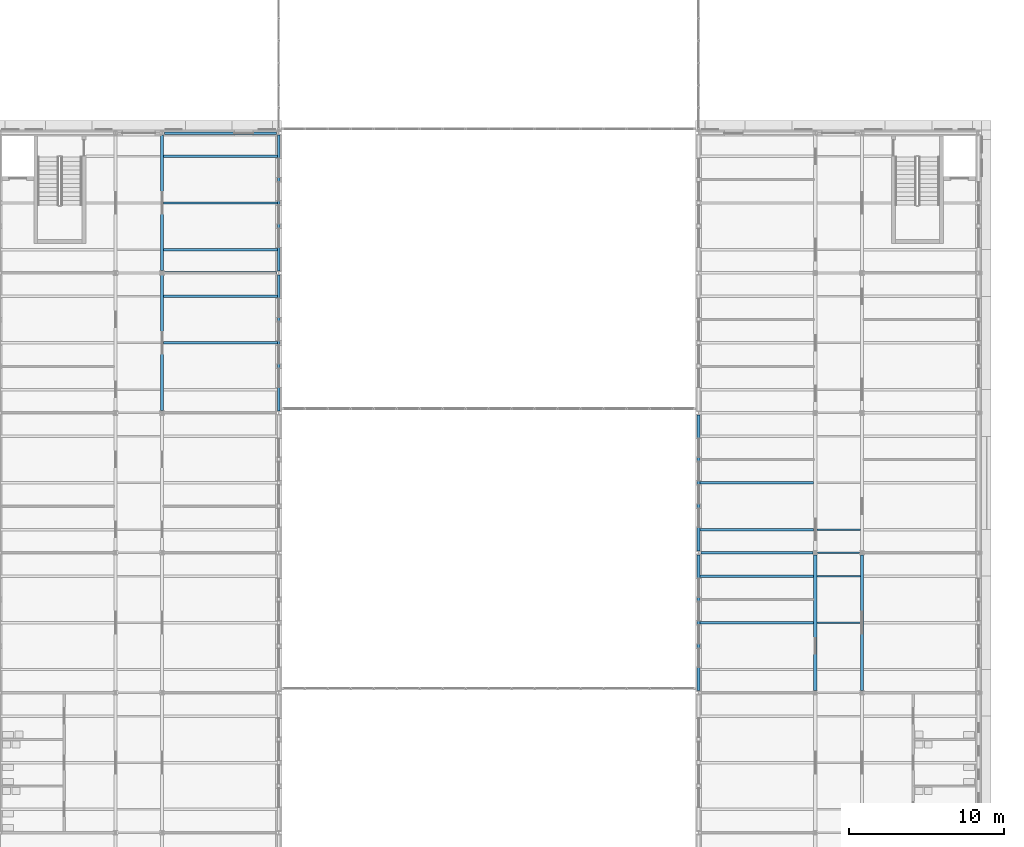
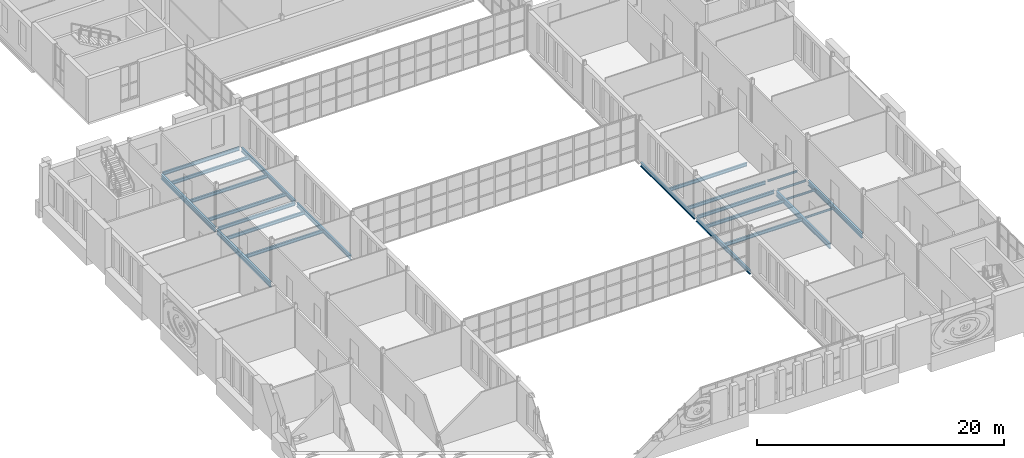
# One storey, part 38 of 131: 24 beams.
"""IFC4 building model written with IfcOpenShell, lengths in metres."""

from ifc_helpers import new_model, si_unit, direction, frame, origin, origin_2d, place, context, subcontext, project, spatial, i_section, extrude, material, material_profile, profile_set, type_object, element, save


model = new_model("IFC4")

# Units and contexts
model_context = context("Model", 3, precision=1e-05, world=origin(), true_north=direction((0.0, 1.0)))
body_context = subcontext(model_context, "Body", "Model", "MODEL_VIEW")
ifc_project = project(units=[si_unit("LENGTHUNIT", "METRE"), si_unit("AREAUNIT", "SQUARE_METRE"), si_unit("VOLUMEUNIT", "CUBIC_METRE"), si_unit("PLANEANGLEUNIT", "RADIAN"), si_unit("MASSUNIT", "GRAM", prefix="KILO")], contexts=[model_context])

# Site, building, storey
site_placement = place(None, origin())
site = spatial("IfcSite", under=ifc_project, at=site_placement, CompositionType="ELEMENT")
building_placement = place(site_placement, origin())
building = spatial("IfcBuilding", under=site, at=building_placement, Name="Golden Quay Civic Hall", CompositionType="ELEMENT")
storey_placement = place(building_placement, frame((0.0, 0.0, 9.89990234375)))
storey = spatial("IfcBuildingStorey", under=building, at=storey_placement, Name="L02", CompositionType="ELEMENT", Elevation=9.89990234375)

# Beams
ifc_material_1 = material(Name="Steel S355", Category="steel")
ifc_material_profile_1 = material_profile(ifc_material_1, i_section(OverallWidth=0.10009765625, OverallDepth=0.199951171875, WebThickness=0.005615234375, FlangeThickness=0.008544921875, FilletRadius=0.011962890625, at=origin_2d()), Name="IPE 200")
ifc_profile_set_1 = profile_set([ifc_material_profile_1], Name="Steel S355")
beam_type_1 = type_object("IfcBeamType", Name="Steel beam IPE 200", PredefinedType="BEAM", material=ifc_profile_set_1)
beam_1_placement = place(storey_placement, frame((106.64990234375, 27.0, -0.2998046875), z_axis=(1.0, 0.0, 0.0), x_axis=(0.0, 1.0, 0.0)))
element("IfcBeam", 1, at=beam_1_placement, inside=storey, type_object=beam_type_1, Name="Beam S27-106.5", PredefinedType="BEAM", context=body_context, shape_type="SweptSolid", body=[
    extrude(i_section(OverallWidth=0.10009765625, OverallDepth=0.199951171875, WebThickness=0.005615234375, FlangeThickness=0.008544921875, FilletRadius=0.011962890625, at=origin_2d()), origin(), (0.0, 0.0, 1.0), 2.7001953125),
])
ifc_material_2 = material(Name="Steel S355", Category="steel")
ifc_material_profile_2 = material_profile(ifc_material_2, i_section(OverallWidth=0.159912109375, OverallDepth=0.330078125, WebThickness=0.007568359375, FlangeThickness=0.011474609375, FilletRadius=0.01806640625, at=origin_2d()), Name="IPE 330")
ifc_profile_set_2 = profile_set([ifc_material_profile_2], Name="Steel S355")
beam_type_2 = type_object("IfcBeamType", Name="Steel beam IPE 330", PredefinedType="BEAM", material=ifc_profile_set_2)
beam_2_placement = place(storey_placement, frame((64.64990234375, 45.0, -0.364990234375), z_axis=(1.0, 0.0, 0.0), x_axis=(0.0, 1.0, 0.0)))
element("IfcBeam", 2, at=beam_2_placement, inside=storey, type_object=beam_type_2, Name="Beam S45-64.5", PredefinedType="BEAM", context=body_context, shape_type="SweptSolid", body=[
    extrude(i_section(OverallWidth=0.159912109375, OverallDepth=0.330078125, WebThickness=0.007568359375, FlangeThickness=0.011474609375, FilletRadius=0.01806640625, at=origin_2d()), origin(), (0.0, 0.0, 1.0), 7.210205078125),
])
beam_3_placement = place(storey_placement, frame((64.639892578125, 54.0, -0.364990234375), z_axis=(1.0, 0.0, 0.0), x_axis=(0.0, 1.0, 0.0)))
element("IfcBeam", 3, at=beam_3_placement, inside=storey, type_object=beam_type_2, Name="Beam S54-64.5", PredefinedType="BEAM", context=body_context, shape_type="SweptSolid", body=[
    extrude(i_section(OverallWidth=0.159912109375, OverallDepth=0.330078125, WebThickness=0.007568359375, FlangeThickness=0.011474609375, FilletRadius=0.01806640625, at=origin_2d()), origin(), (0.0, 0.0, 1.0), 7.22021484375),
])
beam_4_placement = place(storey_placement, frame((99.139892578125, 27.0, -0.364990234375), z_axis=(1.0, 0.0, 0.0), x_axis=(0.0, 1.0, 0.0)))
element("IfcBeam", 4, at=beam_4_placement, inside=storey, type_object=beam_type_2, Name="Beam S27-99", PredefinedType="BEAM", context=body_context, shape_type="SweptSolid", body=[
    extrude(i_section(OverallWidth=0.159912109375, OverallDepth=0.330078125, WebThickness=0.007568359375, FlangeThickness=0.011474609375, FilletRadius=0.01806640625, at=origin_2d()), origin(), (0.0, 0.0, 1.0), 7.210205078125),
])
ifc_material_3 = material(Name="Steel S355", Category="steel")
ifc_material_profile_3 = material_profile(ifc_material_3, i_section(OverallWidth=0.179931640625, OverallDepth=0.39990234375, WebThickness=0.008544921875, FlangeThickness=0.013427734375, FilletRadius=0.02099609375, at=origin_2d()), Name="IPE 400")
ifc_profile_set_3 = profile_set([ifc_material_profile_3], Name="Steel S355")
beam_type_3 = type_object("IfcBeamType", Name="Steel beam IPE 400", PredefinedType="BEAM", material=ifc_profile_set_3)
for number, where, z_axis, x_axis, name in (
    (5, (72.0, 36.135009765625, -0.39990234375), (0.0, 1.0, 0.0), (-1.0, 0.0, 0.0), "Beam L72-36"),
    (6, (72.0, 45.135009765625, -0.39990234375), (0.0, 1.0, 0.0), (-1.0, 0.0, 0.0), "Beam L72-45"),
    (7, (99.0, 18.135009765625, -0.39990234375), (0.0, 1.0, 0.0), (-1.0, 0.0, 0.0), "Beam L99-18"),
    (8, (99.0, 27.135009765625, -0.39990234375), (0.0, 1.0, 0.0), (-1.0, 0.0, 0.0), "Beam L99-27"),
):
    element("IfcBeam", number, at=place(storey_placement, frame(where, z_axis=z_axis, x_axis=x_axis)), inside=storey, type_object=beam_type_3, Name=name, PredefinedType="BEAM", context=body_context, shape_type="SweptSolid", body=[
        extrude(i_section(OverallWidth=0.179931640625, OverallDepth=0.39990234375, WebThickness=0.008544921875, FlangeThickness=0.013427734375, FilletRadius=0.02099609375, at=origin_2d()), origin(), (0.0, 0.0, 1.0), 8.72998046875),
    ])
ifc_material_4 = material(Name="Steel S355", Category="steel")
ifc_material_profile_4 = material_profile(ifc_material_4, i_section(OverallWidth=0.199951171875, OverallDepth=0.5, WebThickness=0.01025390625, FlangeThickness=0.01611328125, FilletRadius=0.02099609375, at=origin_2d()), Name="IPE 500")
ifc_profile_set_4 = profile_set([ifc_material_profile_4], Name="Steel S355")
beam_type_4 = type_object("IfcBeamType", Name="Steel beam IPE 500", PredefinedType="BEAM", material=ifc_profile_set_4)
beam_5_placement = place(storey_placement, frame((64.5, 36.14501953125, -0.449951171875), z_axis=(0.0, 1.0, 0.0), x_axis=(-1.0, 0.0, 0.0)))
element("IfcBeam", 9, at=beam_5_placement, inside=storey, type_object=beam_type_4, Name="Beam L64.5-36", PredefinedType="BEAM", context=body_context, shape_type="SweptSolid", body=[
    extrude(i_section(OverallWidth=0.199951171875, OverallDepth=0.5, WebThickness=0.01025390625, FlangeThickness=0.01611328125, FilletRadius=0.02099609375, at=origin_2d()), origin(), (0.0, 0.0, 1.0), 8.7099609375),
])
beam_6_placement = place(storey_placement, frame((64.5, 45.14501953125, -0.449951171875), z_axis=(0.0, 1.0, 0.0), x_axis=(-1.0, 0.0, 0.0)))
element("IfcBeam", 10, at=beam_6_placement, inside=storey, type_object=beam_type_4, Name="Beam L64.5-45", PredefinedType="BEAM", context=body_context, shape_type="SweptSolid", body=[
    extrude(i_section(OverallWidth=0.199951171875, OverallDepth=0.5, WebThickness=0.01025390625, FlangeThickness=0.01611328125, FilletRadius=0.02099609375, at=origin_2d()), origin(), (0.0, 0.0, 1.0), 8.719970703125),
])
for number, where, z_axis, x_axis, name in (
    (11, (106.5, 18.14501953125, -0.449951171875), (0.0, 1.0, 0.0), (-1.0, 0.0, 0.0), "Beam L106.5-18"),
    (12, (109.5, 18.14501953125, -0.449951171875), (0.0, 1.0, 0.0), (-1.0, 0.0, 0.0), "Beam L109.5-18"),
):
    element("IfcBeam", number, at=place(storey_placement, frame(where, z_axis=z_axis, x_axis=x_axis)), inside=storey, type_object=beam_type_4, Name=name, PredefinedType="BEAM", context=body_context, shape_type="SweptSolid", body=[
        extrude(i_section(OverallWidth=0.199951171875, OverallDepth=0.5, WebThickness=0.01025390625, FlangeThickness=0.01611328125, FilletRadius=0.02099609375, at=origin_2d()), origin(), (0.0, 0.0, 1.0), 8.7099609375),
    ])
ifc_material_5 = material(Name="Steel S355", Category="steel")
ifc_material_profile_5 = material_profile(ifc_material_5, i_section(OverallWidth=0.10009765625, OverallDepth=0.199951171875, WebThickness=0.005615234375, FlangeThickness=0.008544921875, FilletRadius=0.011962890625, at=origin_2d()), Name="IPE 200")
ifc_profile_set_5 = profile_set([ifc_material_profile_5], Name="Steel S355")
beam_type_5 = type_object("IfcBeamType", Name="Steel joist IPE 200", PredefinedType="JOIST", material=ifc_profile_set_5)
for number, where, z_axis, x_axis, name in (
    (13, (106.60009765625, 22.5, -0.2998046875), (1.0, 0.0, 0.0), (0.0, 1.0, 0.0), "Joist J22.5-106.5"),
    (14, (106.60009765625, 25.5, -0.2998046875), (1.0, 0.0, 0.0), (0.0, 1.0, 0.0), "Joist J25.5-106.5"),
    (15, (106.60009765625, 28.5, -0.2998046875), (1.0, 0.0, 0.0), (0.0, 1.0, 0.0), "Joist J28.5-106.5"),
):
    element("IfcBeam", number, at=place(storey_placement, frame(where, z_axis=z_axis, x_axis=x_axis)), inside=storey, type_object=beam_type_5, Name=name, PredefinedType="JOIST", context=body_context, shape_type="SweptSolid", body=[
        extrude(i_section(OverallWidth=0.10009765625, OverallDepth=0.199951171875, WebThickness=0.005615234375, FlangeThickness=0.008544921875, FilletRadius=0.011962890625, at=origin_2d()), origin(), (0.0, 0.0, 1.0), 2.7998046875),
    ])
ifc_material_6 = material(Name="Steel S355", Category="steel")
ifc_material_profile_6 = material_profile(ifc_material_6, i_section(OverallWidth=0.159912109375, OverallDepth=0.330078125, WebThickness=0.007568359375, FlangeThickness=0.011474609375, FilletRadius=0.01806640625, at=origin_2d()), Name="IPE 330")
ifc_profile_set_6 = profile_set([ifc_material_profile_6], Name="Steel S355")
beam_type_6 = type_object("IfcBeamType", Name="Steel joist IPE 330", PredefinedType="JOIST", material=ifc_profile_set_6)
for number, where, z_axis, x_axis, name in (
    (16, (64.60009765625, 40.5, -0.364990234375), (1.0, 0.0, 0.0), (0.0, 1.0, 0.0), "Joist J40.5-64.5"),
    (17, (64.60009765625, 43.5, -0.364990234375), (1.0, 0.0, 0.0), (0.0, 1.0, 0.0), "Joist J43.5-64.5"),
    (18, (64.60009765625, 46.5, -0.364990234375), (1.0, 0.0, 0.0), (0.0, 1.0, 0.0), "Joist J46.5-64.5"),
    (19, (64.60009765625, 49.5, -0.364990234375), (1.0, 0.0, 0.0), (0.0, 1.0, 0.0), "Joist J49.5-64.5"),
    (20, (64.60009765625, 52.5, -0.364990234375), (1.0, 0.0, 0.0), (0.0, 1.0, 0.0), "Joist J52.5-64.5"),
    (21, (99.090087890625, 22.5, -0.364990234375), (1.0, 0.0, 0.0), (0.0, 1.0, 0.0), "Joist J22.5-99"),
    (22, (99.090087890625, 25.5, -0.364990234375), (1.0, 0.0, 0.0), (0.0, 1.0, 0.0), "Joist J25.5-99"),
    (23, (99.090087890625, 28.5, -0.364990234375), (1.0, 0.0, 0.0), (0.0, 1.0, 0.0), "Joist J28.5-99"),
    (24, (99.090087890625, 31.5, -0.364990234375), (1.0, 0.0, 0.0), (0.0, 1.0, 0.0), "Joist J31.5-99"),
):
    element("IfcBeam", number, at=place(storey_placement, frame(where, z_axis=z_axis, x_axis=x_axis)), inside=storey, type_object=beam_type_6, Name=name, PredefinedType="JOIST", context=body_context, shape_type="SweptSolid", body=[
        extrude(i_section(OverallWidth=0.159912109375, OverallDepth=0.330078125, WebThickness=0.007568359375, FlangeThickness=0.011474609375, FilletRadius=0.01806640625, at=origin_2d()), origin(), (0.0, 0.0, 1.0), 7.309814453125),
    ])

save(model, "model.ifc")
